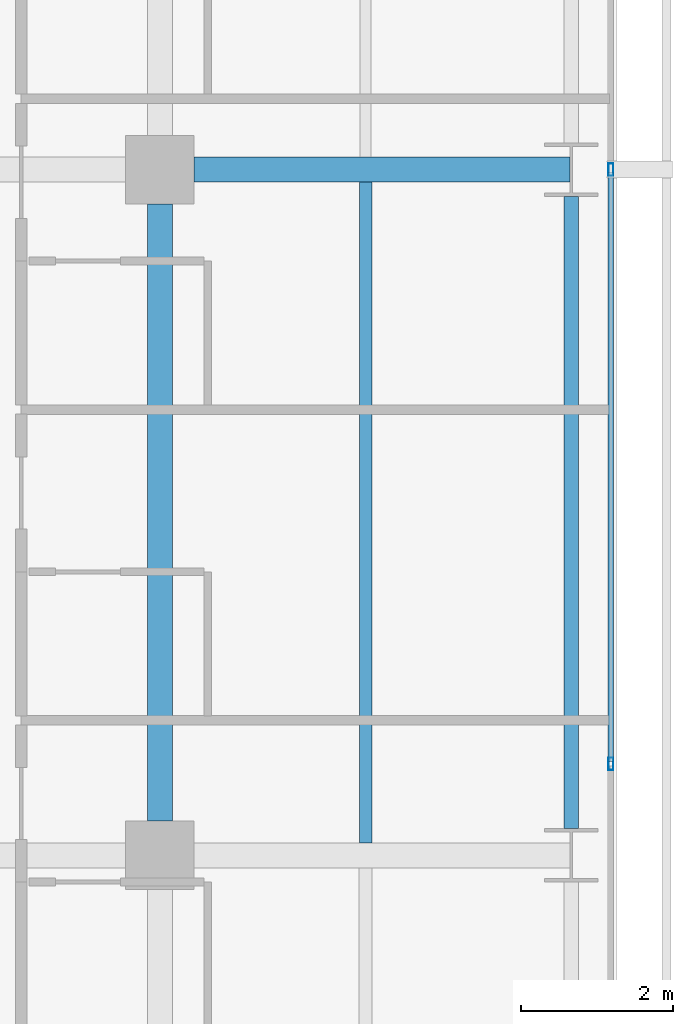
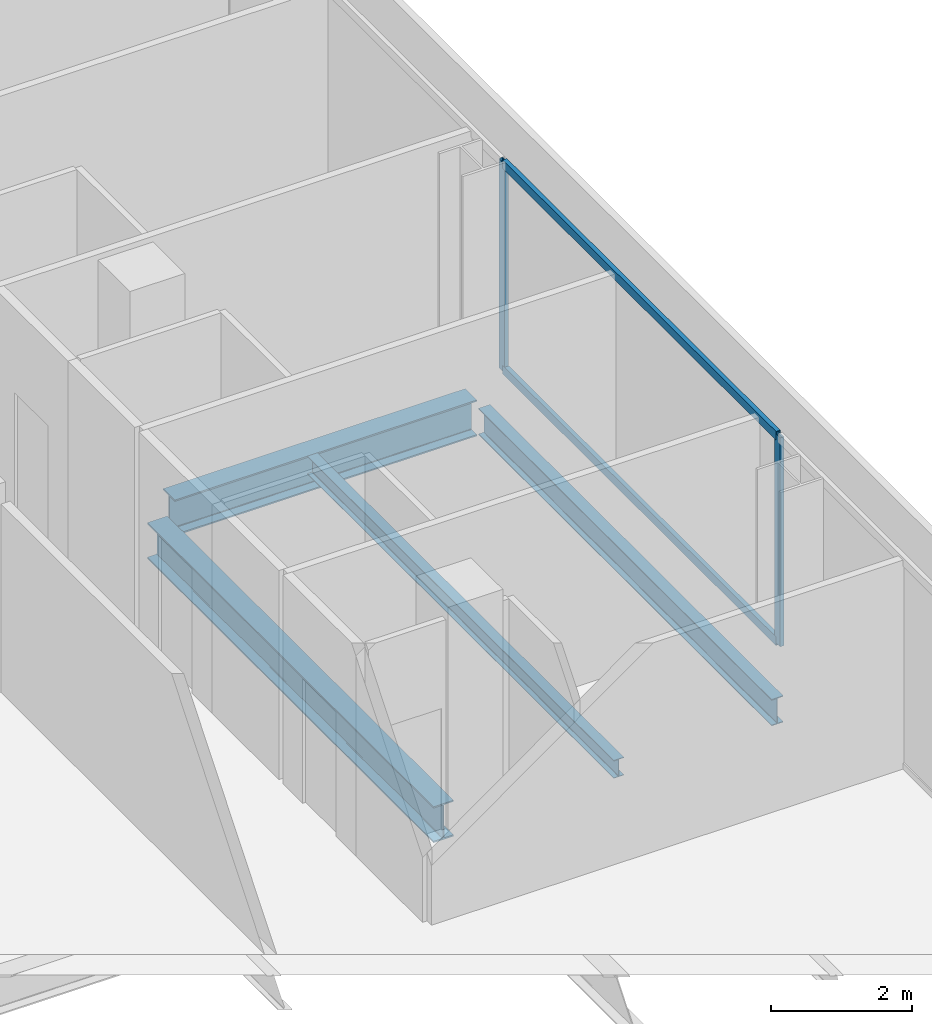
# One storey, part 19 of 40: 4 beams, 4 members, 1 element without a shape of its own.
"""IFC4 building model written with IfcOpenShell, lengths in metres."""

from ifc_helpers import new_model, si_unit, direction, frame, origin, origin_2d, place, context, subcontext, project, spatial, hollow_rectangle, i_section, extrude, material, layer, layer_set, material_profile, profile_set, type_object, element, aggregate, save


model = new_model("IFC4")

# Units and contexts
model_context = context("Model", 3, precision=1e-05, world=origin(), true_north=direction((0.0, 1.0)))
body_context = subcontext(model_context, "Body", "Model", "MODEL_VIEW")
ifc_project = project(units=[si_unit("LENGTHUNIT", "METRE"), si_unit("AREAUNIT", "SQUARE_METRE"), si_unit("VOLUMEUNIT", "CUBIC_METRE"), si_unit("PLANEANGLEUNIT", "RADIAN"), si_unit("MASSUNIT", "GRAM", prefix="KILO")], contexts=[model_context])

# Site, building, storey
site_placement = place(None, origin())
site = spatial("IfcSite", under=ifc_project, at=site_placement, CompositionType="ELEMENT")
building_placement = place(site_placement, origin())
building = spatial("IfcBuilding", under=site, at=building_placement, Name="Maruvema Waterfront Hotel and Observation Tower", CompositionType="ELEMENT")
storey_placement = place(building_placement, frame((0.0, 0.0, 57.75)))
storey = spatial("IfcBuildingStorey", under=building, at=storey_placement, Name="L13", CompositionType="ELEMENT", Elevation=57.75)

# Curtain wall, members
ifc_material_1 = material(Name="Anodised bronze aluminium and solar-control low-E IGU", Category="aluminium")
ifc_layer = layer(ifc_material_1, 0.159912109375, Name="Zone 1 Bronze Inner Thermal Curtain Wall System CW-02")
ifc_layer_set = layer_set([ifc_layer], Name="Anodised bronze aluminium and solar-control low-E IGU")
curtain_wall_type = type_object("IfcCurtainWallType", Name="Zone 1 Bronze Inner Thermal Curtain Wall System CW-02", PredefinedType="USERDEFINED", material=ifc_layer_set)
curtain_wall_placement = place(storey_placement, origin())
curtain_wall = element("IfcCurtainWall", 1, at=curtain_wall_placement, inside=storey, type_object=curtain_wall_type, Name="L13 Curtain Wall CW-L13-E", ObjectType="UNITISED CURTAIN WALL", PredefinedType="USERDEFINED")
ifc_material_2 = material(Name="Anodised architectural bronze aluminium", Category="aluminium")
ifc_material_profile_1 = material_profile(ifc_material_2, hollow_rectangle(XDim=0.070068359375, YDim=0.14990234375, WallThickness=0.00390625, at=origin_2d()), Name="ALU-T70x150")
ifc_profile_set_1 = profile_set([ifc_material_profile_1], Name="Anodised architectural bronze aluminium")
member_type_1 = type_object("IfcMemberType", Name="Curtain Wall Horizontal Transom ALU-T70x150", PredefinedType="USERDEFINED", material=ifc_profile_set_1)
member_1_placement = place(storey_placement, frame((64.719970703125, 19.22998046875, 0.030029296875), z_axis=(0.0, 1.0, 0.0), x_axis=(-1.0, 0.0, 0.0)))
member_1 = element("IfcMember", 2, at=member_1_placement, type_object=member_type_1, Name="CW-02 transom 3.1", ObjectType="TRANSOM", PredefinedType="USERDEFINED", context=body_context, shape_type="SweptSolid", body=[
    extrude(hollow_rectangle(XDim=0.070068359375, YDim=0.14990234375, WallThickness=0.00390625, at=origin_2d()), origin(), (0.0, 0.0, 1.0), 7.739990234375),
])
member_2_placement = place(storey_placement, frame((64.719970703125, 19.22998046875, 3.580078125), z_axis=(0.0, 1.0, 0.0), x_axis=(-1.0, 0.0, 0.0)))
member_2 = element("IfcMember", 3, at=member_2_placement, type_object=member_type_1, Name="CW-02 transom 3.2", ObjectType="TRANSOM", PredefinedType="USERDEFINED", context=body_context, shape_type="SweptSolid", body=[
    extrude(hollow_rectangle(XDim=0.070068359375, YDim=0.14990234375, WallThickness=0.00390625, at=origin_2d()), origin(), (0.0, 0.0, 1.0), 7.739990234375),
])
ifc_material_3 = material(Name="Anodised architectural bronze aluminium", Category="aluminium")
ifc_material_profile_2 = material_profile(ifc_material_3, hollow_rectangle(XDim=0.06494140625, YDim=0.1650390625, WallThickness=0.00390625, at=origin_2d()), Name="ALU-M65x165")
ifc_profile_set_2 = profile_set([ifc_material_profile_2], Name="Anodised architectural bronze aluminium")
member_type_2 = type_object("IfcMemberType", Name="Curtain Wall Primary Mullion ALU-M65x165", PredefinedType="MULLION", material=ifc_profile_set_2)
member_3_placement = place(storey_placement, frame((64.719970703125, 19.199951171875, 0.0), z_axis=(0.0, 0.0, 1.0), x_axis=(-1.0, 0.0, 0.0)))
member_3 = element("IfcMember", 4, at=member_3_placement, type_object=member_type_2, Name="CW-02 mullion 3", PredefinedType="MULLION", context=body_context, shape_type="SweptSolid", body=[
    extrude(hollow_rectangle(XDim=0.06494140625, YDim=0.1650390625, WallThickness=0.00390625, at=origin_2d()), origin(), (0.0, 0.0, 1.0), 3.610107421875),
])
member_4_placement = place(storey_placement, frame((64.719970703125, 27.0, 0.0), z_axis=(0.0, 0.0, 1.0), x_axis=(-1.0, 0.0, 0.0)))
member_4 = element("IfcMember", 5, at=member_4_placement, type_object=member_type_2, Name="CW-02 mullion 4", PredefinedType="MULLION", context=body_context, shape_type="SweptSolid", body=[
    extrude(hollow_rectangle(XDim=0.06494140625, YDim=0.1650390625, WallThickness=0.00390625, at=origin_2d()), origin(), (0.0, 0.0, 1.0), 3.610107421875),
])
aggregate(curtain_wall, [member_3, member_4, member_1, member_2])

# Beams
ifc_material_4 = material(Name="Steel ASTM A572 Grade 50", Category="steel")
ifc_material_profile_3 = material_profile(ifc_material_4, i_section(OverallWidth=0.18994140625, OverallDepth=0.45703125, WebThickness=0.009033203125, FlangeThickness=0.014404296875, FilletRadius=0.014892578125, at=origin_2d()), Name="W460x74.0")
ifc_profile_set_3 = profile_set([ifc_material_profile_3], Name="Steel ASTM A572 Grade 50")
beam_type_1 = type_object("IfcBeamType", Name="Perimeter Spandrel Beam W460x74.0", PredefinedType="SPANDREL", material=ifc_profile_set_3)
beam_1_placement = place(storey_placement, frame((64.199951171875, 18.35009765625, -0.468505859375), z_axis=(0.0, 1.0, 0.0), x_axis=(-1.0, 0.0, 0.0)))
element("IfcBeam", 6, at=beam_1_placement, inside=storey, type_object=beam_type_1, Name="L13 Floor Girder NS-34", PredefinedType="SPANDREL", context=body_context, shape_type="SweptSolid", body=[
    extrude(i_section(OverallWidth=0.18994140625, OverallDepth=0.45703125, WebThickness=0.009033203125, FlangeThickness=0.014404296875, FilletRadius=0.014892578125, at=origin_2d()), origin(), (0.0, 0.0, 1.0), 8.2998046875),
])
ifc_material_5 = material(Name="Steel ASTM A572 Grade 50", Category="steel")
ifc_material_profile_4 = material_profile(ifc_material_5, i_section(OverallWidth=0.326904296875, OverallDepth=0.6220703125, WebThickness=0.015380859375, FlangeThickness=0.0244140625, FilletRadius=0.01806640625, at=origin_2d()), Name="W610x195.0")
ifc_profile_set_4 = profile_set([ifc_material_profile_4], Name="Steel ASTM A572 Grade 50")
beam_type_2 = type_object("IfcBeamType", Name="Primary Floor Girder W610x195.0", PredefinedType="BEAM", material=ifc_profile_set_4)
beam_2_placement = place(storey_placement, frame((59.25, 27.0, -0.551025390625), z_axis=(1.0, 0.0, 0.0), x_axis=(0.0, 1.0, 0.0)))
element("IfcBeam", 7, at=beam_2_placement, inside=storey, type_object=beam_type_2, Name="L13 Floor Girder EW-24", PredefinedType="BEAM", context=body_context, shape_type="SweptSolid", body=[
    extrude(i_section(OverallWidth=0.326904296875, OverallDepth=0.6220703125, WebThickness=0.015380859375, FlangeThickness=0.0244140625, FilletRadius=0.01806640625, at=origin_2d()), origin(), (0.0, 0.0, 1.0), 4.93603515625),
])
beam_3_placement = place(storey_placement, frame((58.800048828125, 18.449951171875, -0.551025390625), z_axis=(0.0, 1.0, 0.0), x_axis=(-1.0, 0.0, 0.0)))
element("IfcBeam", 8, at=beam_3_placement, inside=storey, type_object=beam_type_2, Name="L13 Floor Girder NS-29", PredefinedType="BEAM", context=body_context, shape_type="SweptSolid", body=[
    extrude(i_section(OverallWidth=0.326904296875, OverallDepth=0.6220703125, WebThickness=0.015380859375, FlangeThickness=0.0244140625, FilletRadius=0.01806640625, at=origin_2d()), origin(), (0.0, 0.0, 1.0), 8.10009765625),
])
ifc_material_6 = material(Name="Steel ASTM A572 Grade 50", Category="steel")
ifc_material_profile_5 = material_profile(ifc_material_6, i_section(OverallWidth=0.1650390625, OverallDepth=0.31005859375, WebThickness=0.005859375, FlangeThickness=0.009765625, FilletRadius=0.012939453125, at=origin_2d()), Name="W310x38.7")
ifc_profile_set_5 = profile_set([ifc_material_profile_5], Name="Steel ASTM A572 Grade 50")
beam_type_3 = type_object("IfcBeamType", Name="Secondary Floor Joist W310x38.7", PredefinedType="JOIST", material=ifc_profile_set_5)
beam_4_placement = place(storey_placement, frame((61.5, 18.16357421875, -0.39501953125), z_axis=(0.0, 1.0, 0.0), x_axis=(-1.0, 0.0, 0.0)))
element("IfcBeam", 9, at=beam_4_placement, inside=storey, type_object=beam_type_3, Name="L13 Secondary Floor Joist JS-22", PredefinedType="JOIST", context=body_context, shape_type="SweptSolid", body=[
    extrude(i_section(OverallWidth=0.1650390625, OverallDepth=0.31005859375, WebThickness=0.005859375, FlangeThickness=0.009765625, FilletRadius=0.012939453125, at=origin_2d()), origin(), (0.0, 0.0, 1.0), 8.6728515625),
])

save(model, "model.ifc")
